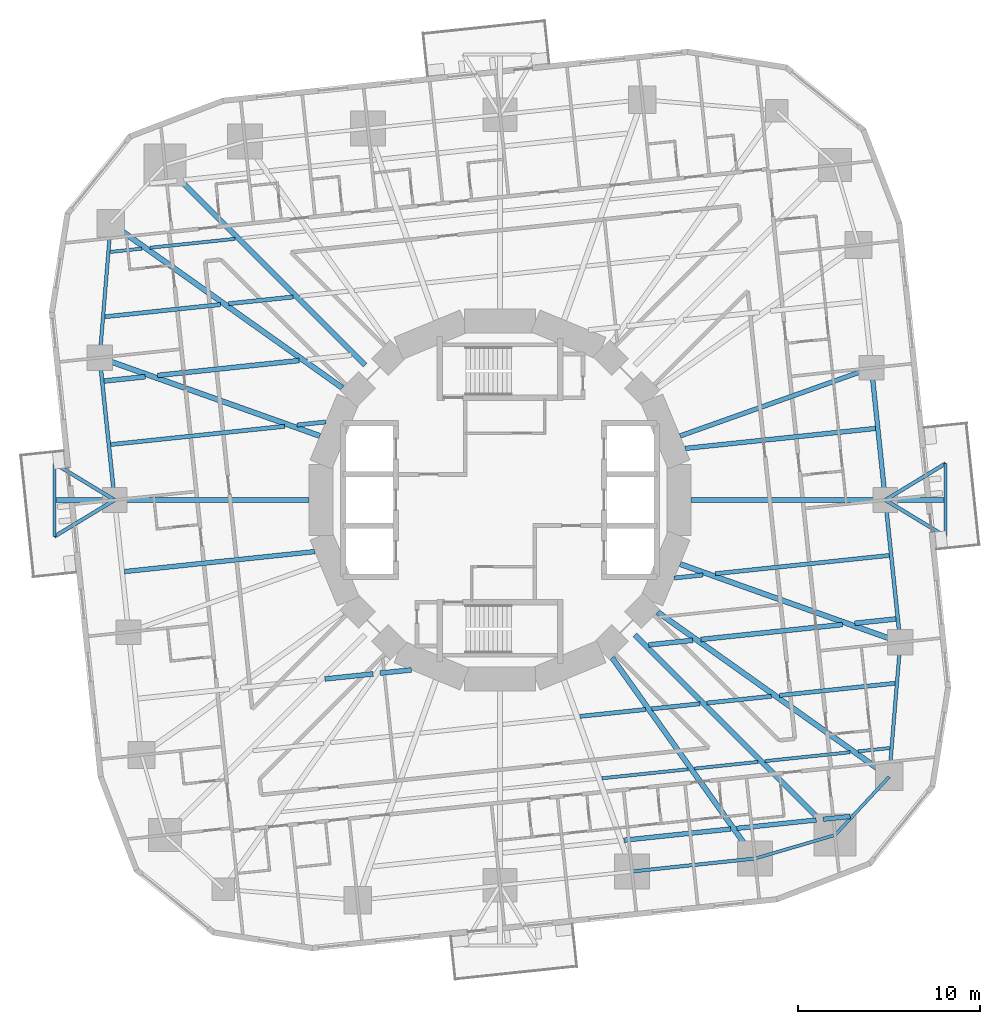
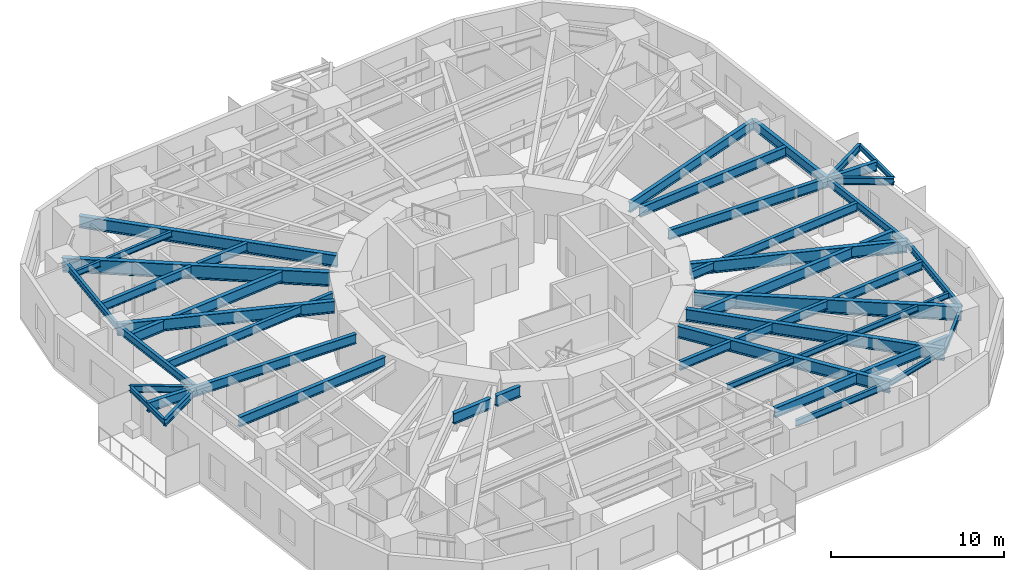
# One storey, part 2 of 13: 52 beams.
"""IFC4 building model written with IfcOpenShell, lengths in metres."""

from ifc_helpers import new_model, si_unit, direction, frame, origin, origin_2d, place, context, subcontext, project, spatial, i_section, extrude, material, material_profile, profile_set, type_object, element, save


model = new_model("IFC4")

# Units and contexts
model_context = context("Model", 3, precision=1e-05, world=origin(), true_north=direction((0.0, 1.0)))
body_context = subcontext(model_context, "Body", "Model", "MODEL_VIEW")
ifc_project = project(units=[si_unit("LENGTHUNIT", "METRE"), si_unit("AREAUNIT", "SQUARE_METRE"), si_unit("VOLUMEUNIT", "CUBIC_METRE"), si_unit("PLANEANGLEUNIT", "RADIAN"), si_unit("MASSUNIT", "GRAM", prefix="KILO")], contexts=[model_context])

# Site, building, storey
site_placement = place(None, origin())
site = spatial("IfcSite", under=ifc_project, at=site_placement, CompositionType="ELEMENT")
building_placement = place(site_placement, origin())
building = spatial("IfcBuilding", under=site, at=building_placement, Name="Nakasero Lantern House", CompositionType="ELEMENT")
storey_placement = place(building_placement, frame((0.0, 0.0, 79.75)))
storey = spatial("IfcBuildingStorey", under=building, at=storey_placement, Name="L19", CompositionType="ELEMENT", Elevation=79.75)

# Beams
ifc_material_1 = material(Name="Steel S355", Category="steel")
ifc_material_profile_1 = material_profile(ifc_material_1, i_section(OverallWidth=0.199462890625, OverallDepth=0.491943359375, WebThickness=0.01806640625, FlangeThickness=0.031982421875, FilletRadius=0.01025390625, at=origin_2d()), Name="UB 457x191x161")
ifc_profile_set_1 = profile_set([ifc_material_profile_1], Name="Steel S355")
beam_type_1 = type_object("IfcBeamType", Name="Balcony splay beam UB 457x191x161", PredefinedType="BEAM", material=ifc_profile_set_1)
for number, where, z_axis, x_axis, name in (
    (1, (21.11572265625, 0.0, 3.404052734375), (0.855201230787, 0.518296107317, 0.0), (-0.518296107317, 0.855201230787, 0.0), "Balcony splay beam L20 B2-C03A"),
    (2, (21.11572265625, 0.0, 3.404052734375), (0.855201230787, -0.518296107317, 0.0), (0.518296107317, 0.855201230787, 0.0), "Balcony splay beam L20 B2-C03B"),
    (3, (-21.11572265625, 0.0, 3.404052734375), (-0.855201230787, -0.518296107317, 0.0), (0.518296107317, -0.855201230787, 0.0), "Balcony splay beam L20 B2-C15A"),
    (4, (-21.11572265625, 0.0, 3.404052734375), (-0.855201230787, 0.518296107317, 0.0), (-0.518296107317, -0.855201230787, 0.0), "Balcony splay beam L20 B2-C15B"),
):
    element("IfcBeam", number, at=place(storey_placement, frame(where, z_axis=z_axis, x_axis=x_axis)), inside=storey, type_object=beam_type_1, Name=name, PredefinedType="BEAM", context=body_context, shape_type="SweptSolid", body=[
        extrude(i_section(OverallWidth=0.199462890625, OverallDepth=0.491943359375, WebThickness=0.01806640625, FlangeThickness=0.031982421875, FilletRadius=0.01025390625, at=origin_2d()), origin(), (0.0, 0.0, 1.0), 3.85888671875),
    ])
ifc_material_2 = material(Name="Steel S355", Category="steel")
ifc_material_profile_2 = material_profile(ifc_material_2, i_section(OverallWidth=0.17138671875, OverallDepth=0.35498046875, WebThickness=0.00732421875, FlangeThickness=0.011474609375, FilletRadius=0.01025390625, at=origin_2d()), Name="UB 356x171x51")
ifc_profile_set_2 = profile_set([ifc_material_profile_2], Name="Steel S355")
beam_type_2 = type_object("IfcBeamType", Name="Balcony tie beam UB 356x171x51", PredefinedType="BEAM", material=ifc_profile_set_2)
for number, where, z_axis, x_axis, name in (
    (5, (24.415771484375, 2.0, 3.472412109375), (0.0, -1.0, 0.0), (1.0, 0.0, 0.0), "Balcony tie beam L20 B2-C03"),
    (6, (-24.415771484375, -2.0, 3.472412109375), (0.0, 1.0, 0.0), (-1.0, 0.0, 0.0), "Balcony tie beam L20 B2-C15"),
):
    element("IfcBeam", number, at=place(storey_placement, frame(where, z_axis=z_axis, x_axis=x_axis)), inside=storey, type_object=beam_type_2, Name=name, PredefinedType="BEAM", context=body_context, shape_type="SweptSolid", body=[
        extrude(i_section(OverallWidth=0.17138671875, OverallDepth=0.35498046875, WebThickness=0.00732421875, FlangeThickness=0.011474609375, FilletRadius=0.01025390625, at=origin_2d()), origin(), (0.0, 0.0, 1.0), 4.0),
    ])
ifc_material_3 = material(Name="Steel S355", Category="steel")
ifc_material_profile_3 = material_profile(ifc_material_3, i_section(OverallWidth=0.177978515625, OverallDepth=0.406494140625, WebThickness=0.0078125, FlangeThickness=0.0126953125, FilletRadius=0.01025390625, at=origin_2d()), Name="UB 406x178x60")
ifc_profile_set_3 = profile_set([ifc_material_profile_3], Name="Steel S355")
beam_type_3 = type_object("IfcBeamType", Name="Infill beam UB 406x178x60", PredefinedType="JOIST", material=ifc_profile_set_3)
beam_1_placement = place(storey_placement, frame((5.58154296875, -15.25, 3.44677734375), z_axis=(0.994523439889, 0.104513767091, 0.0), x_axis=(-0.104513767091, 0.994523439889, 0.0)))
element("IfcBeam", 7, at=beam_1_placement, inside=storey, type_object=beam_type_3, Name="Infill beam L20 03.4", PredefinedType="JOIST", context=body_context, shape_type="SweptSolid", body=[
    extrude(i_section(OverallWidth=0.177978515625, OverallDepth=0.406494140625, WebThickness=0.0078125, FlangeThickness=0.0126953125, FilletRadius=0.01025390625, at=origin_2d()), origin(), (0.0, 0.0, 1.0), 4.756103515625),
])
beam_2_placement = place(storey_placement, frame((10.6455078125, -14.7177734375, 3.44677734375), z_axis=(0.994521415391, 0.104533029842, 0.0), x_axis=(-0.104533029842, 0.994521415391, 0.0)))
element("IfcBeam", 8, at=beam_2_placement, inside=storey, type_object=beam_type_3, Name="Infill beam L20 03.5", PredefinedType="JOIST", context=body_context, shape_type="SweptSolid", body=[
    extrude(i_section(OverallWidth=0.177978515625, OverallDepth=0.406494140625, WebThickness=0.0078125, FlangeThickness=0.0126953125, FilletRadius=0.01025390625, at=origin_2d()), origin(), (0.0, 0.0, 1.0), 3.517333984375),
])
beam_3_placement = place(storey_placement, frame((14.517578125, -14.310791015625, 3.44677734375), z_axis=(0.994522000641, 0.104527461662, 0.0), x_axis=(-0.104527461662, 0.994522000641, 0.0)))
element("IfcBeam", 9, at=beam_3_placement, inside=storey, type_object=beam_type_3, Name="Infill beam L20 03.6", PredefinedType="JOIST", context=body_context, shape_type="SweptSolid", body=[
    extrude(i_section(OverallWidth=0.177978515625, OverallDepth=0.406494140625, WebThickness=0.0078125, FlangeThickness=0.0126953125, FilletRadius=0.01025390625, at=origin_2d()), origin(), (0.0, 0.0, 1.0), 4.685302734375),
])
for number, where, z_axis, x_axis, name in (
    (10, (19.628173828125, -13.773681640625, 3.44677734375), (0.994526919783, 0.1044806481, 0.0), (-0.1044806481, 0.994526919783, 0.0), "Infill beam L20 03.7"),
    (11, (-21.36181640625, 13.591552734375, 3.44677734375), (0.994526919783, 0.1044806481, 0.0), (-0.1044806481, 0.994526919783, 0.0), "Infill beam L20 12.1"),
):
    element("IfcBeam", number, at=place(storey_placement, frame(where, z_axis=z_axis, x_axis=x_axis)), inside=storey, type_object=beam_type_3, Name=name, PredefinedType="JOIST", context=body_context, shape_type="SweptSolid", body=[
        extrude(i_section(OverallWidth=0.177978515625, OverallDepth=0.406494140625, WebThickness=0.0078125, FlangeThickness=0.0126953125, FilletRadius=0.01025390625, at=origin_2d()), origin(), (0.0, 0.0, 1.0), 1.7431640625),
    ])
beam_4_placement = place(storey_placement, frame((-19.17724609375, 13.821044921875, 3.44677734375), z_axis=(0.994522000641, 0.104527461662, 0.0), x_axis=(-0.104527461662, 0.994522000641, 0.0)))
element("IfcBeam", 12, at=beam_4_placement, inside=storey, type_object=beam_type_3, Name="Infill beam L20 12.2", PredefinedType="JOIST", context=body_context, shape_type="SweptSolid", body=[
    extrude(i_section(OverallWidth=0.177978515625, OverallDepth=0.406494140625, WebThickness=0.0078125, FlangeThickness=0.0126953125, FilletRadius=0.01025390625, at=origin_2d()), origin(), (0.0, 0.0, 1.0), 4.685302734375),
])
ifc_material_4 = material(Name="Steel S355", Category="steel")
ifc_material_profile_4 = material_profile(ifc_material_4, i_section(OverallWidth=0.2275390625, OverallDepth=0.6025390625, WebThickness=0.010498046875, FlangeThickness=0.014892578125, FilletRadius=0.0126953125, at=origin_2d()), Name="UB 610x229x101")
ifc_profile_set_4 = profile_set([ifc_material_profile_4], Name="Steel S355")
beam_type_4 = type_object("IfcBeamType", Name="Infill beam UB 610x229x101", PredefinedType="JOIST", material=ifc_profile_set_4)
beam_5_placement = place(storey_placement, frame((9.548583984375, -4.275390625, 3.3486328125), z_axis=(0.99451559139, 0.104588424223, 0.0), x_axis=(-0.104588424223, 0.99451559139, 0.0)))
element("IfcBeam", 13, at=beam_5_placement, inside=storey, type_object=beam_type_4, Name="Infill beam L20 06.1", PredefinedType="JOIST", context=body_context, shape_type="SweptSolid", body=[
    extrude(i_section(OverallWidth=0.2275390625, OverallDepth=0.6025390625, WebThickness=0.010498046875, FlangeThickness=0.014892578125, FilletRadius=0.0126953125, at=origin_2d()), origin(), (0.0, 0.0, 1.0), 1.582763671875),
])
for number, where, z_axis, x_axis, name in (
    (14, (11.79638671875, -4.0390625, 3.3486328125), (0.994521908804, 0.104528335435, 0.0), (-0.104528335435, 0.994521908804, 0.0), "Infill beam L20 06.2"),
    (15, (-21.329345703125, 3.037109375, 3.3486328125), (0.994521908804, 0.104528335435, 0.0), (-0.104528335435, 0.994521908804, 0.0), "Infill beam L20 09.1"),
):
    element("IfcBeam", number, at=place(storey_placement, frame(where, z_axis=z_axis, x_axis=x_axis)), inside=storey, type_object=beam_type_4, Name=name, PredefinedType="JOIST", context=body_context, shape_type="SweptSolid", body=[
        extrude(i_section(OverallWidth=0.2275390625, OverallDepth=0.6025390625, WebThickness=0.010498046875, FlangeThickness=0.014892578125, FilletRadius=0.0126953125, at=origin_2d()), origin(), (0.0, 0.0, 1.0), 9.58544921875),
    ])
beam_6_placement = place(storey_placement, frame((-11.12255859375, 4.10986328125, 3.3486328125), z_axis=(0.99451559139, 0.104588424223, 0.0), x_axis=(-0.104588424223, 0.99451559139, 0.0)))
element("IfcBeam", 16, at=beam_6_placement, inside=storey, type_object=beam_type_4, Name="Infill beam L20 09.2", PredefinedType="JOIST", context=body_context, shape_type="SweptSolid", body=[
    extrude(i_section(OverallWidth=0.2275390625, OverallDepth=0.6025390625, WebThickness=0.010498046875, FlangeThickness=0.014892578125, FilletRadius=0.0126953125, at=origin_2d()), origin(), (0.0, 0.0, 1.0), 1.582763671875),
])
ifc_material_5 = material(Name="Steel S355", Category="steel")
ifc_material_profile_5 = material_profile(ifc_material_5, i_section(OverallWidth=0.22900390625, OverallDepth=0.6123046875, WebThickness=0.011962890625, FlangeThickness=0.01953125, FilletRadius=0.0126953125, at=origin_2d()), Name="UB 610x229x125")
ifc_profile_set_5 = profile_set([ifc_material_profile_5], Name="Steel S355")
beam_type_5 = type_object("IfcBeamType", Name="Infill beam UB 610x229x125", PredefinedType="JOIST", material=ifc_profile_set_5)
beam_7_placement = place(storey_placement, frame((4.375244140625, -11.857666015625, 3.343994140625), z_axis=(0.994523507044, 0.104513128058, 0.0), x_axis=(-0.104513128058, 0.994523507044, 0.0)))
element("IfcBeam", 17, at=beam_7_placement, inside=storey, type_object=beam_type_5, Name="Infill beam L20 04.5", PredefinedType="JOIST", context=body_context, shape_type="SweptSolid", body=[
    extrude(i_section(OverallWidth=0.22900390625, OverallDepth=0.6123046875, WebThickness=0.011962890625, FlangeThickness=0.01953125, FilletRadius=0.0126953125, at=origin_2d()), origin(), (0.0, 0.0, 1.0), 3.627685546875),
])
beam_8_placement = place(storey_placement, frame((8.31689453125, -11.443359375, 3.343994140625), z_axis=(0.994526079282, 0.104488648322, 0.0), x_axis=(-0.104488648322, 0.994526079282, 0.0)))
element("IfcBeam", 18, at=beam_8_placement, inside=storey, type_object=beam_type_5, Name="Infill beam L20 04.6", PredefinedType="JOIST", context=body_context, shape_type="SweptSolid", body=[
    extrude(i_section(OverallWidth=0.22900390625, OverallDepth=0.6123046875, WebThickness=0.011962890625, FlangeThickness=0.01953125, FilletRadius=0.0126953125, at=origin_2d()), origin(), (0.0, 0.0, 1.0), 2.65673828125),
])
beam_9_placement = place(storey_placement, frame((11.3330078125, -11.126220703125, 3.343994140625), z_axis=(0.99452727583, 0.104477258916, 0.0), x_axis=(-0.104477258916, 0.99452727583, 0.0)))
element("IfcBeam", 19, at=beam_9_placement, inside=storey, type_object=beam_type_5, Name="Infill beam L20 04.7", PredefinedType="JOIST", context=body_context, shape_type="SweptSolid", body=[
    extrude(i_section(OverallWidth=0.22900390625, OverallDepth=0.6123046875, WebThickness=0.011962890625, FlangeThickness=0.01953125, FilletRadius=0.0126953125, at=origin_2d()), origin(), (0.0, 0.0, 1.0), 3.552001953125),
])
for number, where, z_axis, x_axis, name in (
    (20, (15.31640625, -10.707763671875, 3.343994140625), (0.994520346325, 0.104543200382, 0.0), (-0.104543200382, 0.994520346325, 0.0), "Infill beam L20 04.8"),
    (21, (-21.654541015625, 10.04150390625, 3.343994140625), (0.994520346325, 0.104543200382, 0.0), (-0.104543200382, 0.994520346325, 0.0), "Infill beam L20 11.1"),
):
    element("IfcBeam", number, at=place(storey_placement, frame(where, z_axis=z_axis, x_axis=x_axis)), inside=storey, type_object=beam_type_5, Name=name, PredefinedType="JOIST", context=body_context, shape_type="SweptSolid", body=[
        extrude(i_section(OverallWidth=0.22900390625, OverallDepth=0.6123046875, WebThickness=0.011962890625, FlangeThickness=0.01953125, FilletRadius=0.0126953125, at=origin_2d()), origin(), (0.0, 0.0, 1.0), 6.373046875),
    ])
beam_10_placement = place(storey_placement, frame((-14.865478515625, 10.755126953125, 3.343994140625), z_axis=(0.99452727583, 0.104477258916, 0.0), x_axis=(-0.104477258916, 0.99452727583, 0.0)))
element("IfcBeam", 22, at=beam_10_placement, inside=storey, type_object=beam_type_5, Name="Infill beam L20 11.2", PredefinedType="JOIST", context=body_context, shape_type="SweptSolid", body=[
    extrude(i_section(OverallWidth=0.22900390625, OverallDepth=0.6123046875, WebThickness=0.011962890625, FlangeThickness=0.01953125, FilletRadius=0.0126953125, at=origin_2d()), origin(), (0.0, 0.0, 1.0), 3.552001953125),
])
ifc_material_6 = material(Name="Steel S355", Category="steel")
ifc_material_profile_6 = material_profile(ifc_material_6, i_section(OverallWidth=0.255859375, OverallDepth=0.69287109375, WebThickness=0.014404296875, FlangeThickness=0.023681640625, FilletRadius=0.01513671875, at=origin_2d()), Name="UB 686x254x170")
ifc_profile_set_6 = profile_set([ifc_material_profile_6], Name="Steel S355")
beam_type_6 = type_object("IfcBeamType", Name="Infill beam UB 686x254x170", PredefinedType="JOIST", material=ifc_profile_set_6)
beam_11_placement = place(storey_placement, frame((6.78759765625, -18.642578125, 3.303466796875), z_axis=(0.994524304789, 0.104505536616, 0.0), x_axis=(-0.104505536616, 0.994524304789, 0.0)))
element("IfcBeam", 23, at=beam_11_placement, inside=storey, type_object=beam_type_6, Name="Infill beam L20 02.3", PredefinedType="JOIST", context=body_context, shape_type="SweptSolid", body=[
    extrude(i_section(OverallWidth=0.255859375, OverallDepth=0.69287109375, WebThickness=0.014404296875, FlangeThickness=0.023681640625, FilletRadius=0.01513671875, at=origin_2d()), origin(), (0.0, 0.0, 1.0), 5.884765625),
])
beam_12_placement = place(storey_placement, frame((12.97412109375, -17.992431640625, 3.303466796875), z_axis=(0.994518584312, 0.104559961062, 0.0), x_axis=(-0.104559961062, 0.994518584312, 0.0)))
element("IfcBeam", 24, at=beam_12_placement, inside=storey, type_object=beam_type_6, Name="Infill beam L20 02.4", PredefinedType="JOIST", context=body_context, shape_type="SweptSolid", body=[
    extrude(i_section(OverallWidth=0.255859375, OverallDepth=0.69287109375, WebThickness=0.014404296875, FlangeThickness=0.023681640625, FilletRadius=0.01513671875, at=origin_2d()), origin(), (0.0, 0.0, 1.0), 4.3779296875),
])
beam_13_placement = place(storey_placement, frame((17.7021484375, -17.495361328125, 3.303466796875), z_axis=(0.994535800288, 0.104396082038, 0.0), x_axis=(-0.104396082038, 0.994535800288, 0.0)))
element("IfcBeam", 25, at=beam_13_placement, inside=storey, type_object=beam_type_6, Name="Infill beam L20 02.5", PredefinedType="JOIST", context=body_context, shape_type="SweptSolid", body=[
    extrude(i_section(OverallWidth=0.255859375, OverallDepth=0.69287109375, WebThickness=0.014404296875, FlangeThickness=0.023681640625, FilletRadius=0.01513671875, at=origin_2d()), origin(), (0.0, 0.0, 1.0), 1.49658203125),
])
for number, where, z_axis, x_axis, name in (
    (26, (-20.575927734375, -3.92236328125, 3.303466796875), (0.994521899939, 0.104528419781, 0.0), (-0.104528419781, 0.994521899939, 0.0), "Infill beam L20 07.1"),
    (27, (10.148681640625, 2.826416015625, 3.303466796875), (0.994521899939, 0.104528419781, 0.0), (-0.104528419781, 0.994521899939, 0.0), "Infill beam L20 08.1"),
):
    element("IfcBeam", number, at=place(storey_placement, frame(where, z_axis=z_axis, x_axis=x_axis)), inside=storey, type_object=beam_type_6, Name=name, PredefinedType="JOIST", context=body_context, shape_type="SweptSolid", body=[
        extrude(i_section(OverallWidth=0.255859375, OverallDepth=0.69287109375, WebThickness=0.014404296875, FlangeThickness=0.023681640625, FilletRadius=0.01513671875, at=origin_2d()), origin(), (0.0, 0.0, 1.0), 10.484619140625),
    ])
ifc_material_7 = material(Name="Steel S355", Category="steel")
ifc_material_profile_7 = material_profile(ifc_material_7, i_section(OverallWidth=0.2666015625, OverallDepth=0.76220703125, WebThickness=0.014404296875, FlangeThickness=0.021484375, FilletRadius=0.0166015625, at=origin_2d()), Name="UB 762x267x173")
ifc_profile_set_7 = profile_set([ifc_material_profile_7], Name="Steel S355")
beam_type_7 = type_object("IfcBeamType", Name="Infill beam UB 762x267x173", PredefinedType="JOIST", material=ifc_profile_set_7)
beam_14_placement = place(storey_placement, frame((-9.594482421875, -9.806640625, 3.268798828125), z_axis=(0.994521575627, 0.104531505358, 0.0), x_axis=(-0.104531505358, 0.994521575627, 0.0)))
element("IfcBeam", 28, at=beam_14_placement, inside=storey, type_object=beam_type_7, Name="Infill beam L20 05.3", PredefinedType="JOIST", context=body_context, shape_type="SweptSolid", body=[
    extrude(i_section(OverallWidth=0.2666015625, OverallDepth=0.76220703125, WebThickness=0.014404296875, FlangeThickness=0.021484375, FilletRadius=0.0166015625, at=origin_2d()), origin(), (0.0, 0.0, 1.0), 2.6533203125),
])
beam_15_placement = place(storey_placement, frame((-6.568115234375, -9.488525390625, 3.268798828125), z_axis=(0.994529501552, 0.104456069922, 0.0), x_axis=(-0.104456069922, 0.994529501552, 0.0)))
element("IfcBeam", 29, at=beam_15_placement, inside=storey, type_object=beam_type_7, Name="Infill beam L20 05.4", PredefinedType="JOIST", context=body_context, shape_type="SweptSolid", body=[
    extrude(i_section(OverallWidth=0.2666015625, OverallDepth=0.76220703125, WebThickness=0.014404296875, FlangeThickness=0.021484375, FilletRadius=0.0166015625, at=origin_2d()), origin(), (0.0, 0.0, 1.0), 1.72265625),
])
beam_16_placement = place(storey_placement, frame((8.1484375, -7.941650390625, 3.268798828125), z_axis=(0.99452700398, 0.104479846642, 0.0), x_axis=(-0.104479846642, 0.99452700398, 0.0)))
element("IfcBeam", 30, at=beam_16_placement, inside=storey, type_object=beam_type_7, Name="Infill beam L20 05.5", PredefinedType="JOIST", context=body_context, shape_type="SweptSolid", body=[
    extrude(i_section(OverallWidth=0.2666015625, OverallDepth=0.76220703125, WebThickness=0.014404296875, FlangeThickness=0.021484375, FilletRadius=0.0166015625, at=origin_2d()), origin(), (0.0, 0.0, 1.0), 2.41845703125),
])
beam_17_placement = place(storey_placement, frame((11.0048828125, -7.6416015625, 3.268798828125), z_axis=(0.994520535103, 0.104541404521, 0.0), x_axis=(-0.104541404521, 0.994520535103, 0.0)))
element("IfcBeam", 31, at=beam_17_placement, inside=storey, type_object=beam_type_7, Name="Infill beam L20 05.6", PredefinedType="JOIST", context=body_context, shape_type="SweptSolid", body=[
    extrude(i_section(OverallWidth=0.2666015625, OverallDepth=0.76220703125, WebThickness=0.014404296875, FlangeThickness=0.021484375, FilletRadius=0.0166015625, at=origin_2d()), origin(), (0.0, 0.0, 1.0), 7.800048828125),
])
for number, where, z_axis, x_axis, name in (
    (32, (19.43603515625, -6.75537109375, 3.268798828125), (0.994516636986, 0.104578481334, 0.0), (-0.104578481334, 0.994516636986, 0.0), "Infill beam L20 05.7"),
    (33, (-21.695068359375, 6.517822265625, 3.268798828125), (0.994516636986, 0.104578481334, 0.0), (-0.104578481334, 0.994516636986, 0.0), "Infill beam L20 10.1"),
):
    element("IfcBeam", number, at=place(storey_placement, frame(where, z_axis=z_axis, x_axis=x_axis)), inside=storey, type_object=beam_type_7, Name=name, PredefinedType="JOIST", context=body_context, shape_type="SweptSolid", body=[
        extrude(i_section(OverallWidth=0.2666015625, OverallDepth=0.76220703125, WebThickness=0.014404296875, FlangeThickness=0.021484375, FilletRadius=0.0166015625, at=origin_2d()), origin(), (0.0, 0.0, 1.0), 2.271484375),
    ])
beam_18_placement = place(storey_placement, frame((-18.76220703125, 6.826171875, 3.268798828125), z_axis=(0.994520535103, 0.104541404521, 0.0), x_axis=(-0.104541404521, 0.994520535103, 0.0)))
element("IfcBeam", 34, at=beam_18_placement, inside=storey, type_object=beam_type_7, Name="Infill beam L20 10.2", PredefinedType="JOIST", context=body_context, shape_type="SweptSolid", body=[
    extrude(i_section(OverallWidth=0.2666015625, OverallDepth=0.76220703125, WebThickness=0.014404296875, FlangeThickness=0.021484375, FilletRadius=0.0166015625, at=origin_2d()), origin(), (0.0, 0.0, 1.0), 7.800048828125),
])
ifc_material_8 = material(Name="Steel S355", Category="steel")
ifc_material_profile_8 = material_profile(ifc_material_8, i_section(OverallWidth=0.300048828125, OverallDepth=0.989990234375, WebThickness=0.0166015625, FlangeThickness=0.031005859375, FilletRadius=0.030029296875, at=origin_2d()), Name="UB 1016x305x272")
ifc_profile_set_8 = profile_set([ifc_material_profile_8], Name="Steel S355")
beam_type_8 = type_object("IfcBeamType", Name="Primary beam UB 1016x305x272, span over 15 m", PredefinedType="BEAM", material=ifc_profile_set_8)
for number, where, z_axis, x_axis, name in (
    (35, (21.327880859375, -15.16650390625, 3.155029296875), (-0.814951538239, 0.57952911085, 0.0), (-0.57952911085, -0.814951538239, 0.0), "Primary beam L20 B2-C01"),
    (36, (-21.327880859375, 15.16650390625, 3.155029296875), (0.814951538239, -0.57952911085, 0.0), (0.57952911085, 0.814951538239, 0.0), "Primary beam L20 B2-C13"),
):
    element("IfcBeam", number, at=place(storey_placement, frame(where, z_axis=z_axis, x_axis=x_axis)), inside=storey, type_object=beam_type_8, Name=name, PredefinedType="BEAM", context=body_context, shape_type="SweptSolid", body=[
        extrude(i_section(OverallWidth=0.300048828125, OverallDepth=0.989990234375, WebThickness=0.0166015625, FlangeThickness=0.031005859375, FilletRadius=0.030029296875, at=origin_2d()), origin(), (0.0, 0.0, 1.0), 15.564697265625),
    ])
ifc_material_9 = material(Name="Steel S355", Category="steel")
ifc_material_profile_9 = material_profile(ifc_material_9, i_section(OverallWidth=0.253662109375, OverallDepth=0.68359375, WebThickness=0.012451171875, FlangeThickness=0.01904296875, FilletRadius=0.01513671875, at=origin_2d()), Name="UB 686x254x140")
ifc_profile_set_9 = profile_set([ifc_material_profile_9], Name="Steel S355")
beam_type_9 = type_object("IfcBeamType", Name="Primary beam UB 686x254x140, span 9 to 12 m", PredefinedType="BEAM", material=ifc_profile_set_9)
beam_19_placement = place(storey_placement, frame((24.415771484375, 0.0, 3.308349609375), z_axis=(-1.0, 0.0, 0.0), x_axis=(0.0, -1.0, 0.0)))
element("IfcBeam", 37, at=beam_19_placement, inside=storey, type_object=beam_type_9, Name="Primary beam L20 B2-C03", PredefinedType="BEAM", context=body_context, shape_type="SweptSolid", body=[
    extrude(i_section(OverallWidth=0.253662109375, OverallDepth=0.68359375, WebThickness=0.012451171875, FlangeThickness=0.01904296875, FilletRadius=0.01513671875, at=origin_2d()), origin(), (0.0, 0.0, 1.0), 13.9580078125),
])
beam_20_placement = place(storey_placement, frame((20.35498046875, 7.2373046875, 3.308349609375), z_axis=(-0.942214844119, -0.335009234979, 0.0), x_axis=(0.335009234979, -0.942214844119, 0.0)))
element("IfcBeam", 38, at=beam_20_placement, inside=storey, type_object=beam_type_9, Name="Primary beam L20 B2-C04", PredefinedType="BEAM", context=body_context, shape_type="SweptSolid", body=[
    extrude(i_section(OverallWidth=0.253662109375, OverallDepth=0.68359375, WebThickness=0.012451171875, FlangeThickness=0.01904296875, FilletRadius=0.01513671875, at=origin_2d()), origin(), (0.0, 0.0, 1.0), 11.1318359375),
])
beam_21_placement = place(storey_placement, frame((-24.415771484375, 0.0, 3.308349609375), z_axis=(1.0, 0.0, 0.0), x_axis=(0.0, 1.0, 0.0)))
element("IfcBeam", 39, at=beam_21_placement, inside=storey, type_object=beam_type_9, Name="Primary beam L20 B2-C15", PredefinedType="BEAM", context=body_context, shape_type="SweptSolid", body=[
    extrude(i_section(OverallWidth=0.253662109375, OverallDepth=0.68359375, WebThickness=0.012451171875, FlangeThickness=0.01904296875, FilletRadius=0.01513671875, at=origin_2d()), origin(), (0.0, 0.0, 1.0), 13.9580078125),
])
ifc_material_10 = material(Name="Steel S355", Category="steel")
ifc_material_profile_10 = material_profile(ifc_material_10, i_section(OverallWidth=0.29248046875, OverallDepth=0.8408203125, WebThickness=0.0146484375, FlangeThickness=0.02685546875, FilletRadius=0.017822265625, at=origin_2d()), Name="UB 838x292x194")
ifc_profile_set_10 = profile_set([ifc_material_profile_10], Name="Steel S355")
beam_type_10 = type_object("IfcBeamType", Name="Primary beam UB 838x292x194, span 12 to 15 m", PredefinedType="BEAM", material=ifc_profile_set_10)
for number, where, z_axis, x_axis, name in (
    (40, (21.935302734375, -7.79931640625, 3.229736328125), (-0.942211882636, 0.335017564047, 0.0), (-0.335017564047, -0.942211882636, 0.0), "Primary beam L20 B2-C02"),
    (41, (-21.935302734375, 7.79931640625, 3.229736328125), (0.942211882636, -0.335017564047, 0.0), (0.335017564047, 0.942211882636, 0.0), "Primary beam L20 B2-C14"),
):
    element("IfcBeam", number, at=place(storey_placement, frame(where, z_axis=z_axis, x_axis=x_axis)), inside=storey, type_object=beam_type_10, Name=name, PredefinedType="BEAM", context=body_context, shape_type="SweptSolid", body=[
        extrude(i_section(OverallWidth=0.29248046875, OverallDepth=0.8408203125, WebThickness=0.0146484375, FlangeThickness=0.02685546875, FilletRadius=0.017822265625, at=origin_2d()), origin(), (0.0, 0.0, 1.0), 12.80908203125),
    ])
beam_22_placement = place(storey_placement, frame((13.971435546875, -19.647216796875, 3.229736328125), z_axis=(-0.579533393168, 0.814948492976, 0.0), x_axis=(-0.814948492976, -0.579533393168, 0.0)))
element("IfcBeam", 42, at=beam_22_placement, inside=storey, type_object=beam_type_10, Name="Primary beam L20 B2-C23", PredefinedType="BEAM", context=body_context, shape_type="SweptSolid", body=[
    extrude(i_section(OverallWidth=0.29248046875, OverallDepth=0.8408203125, WebThickness=0.0146484375, FlangeThickness=0.02685546875, FilletRadius=0.017822265625, at=origin_2d()), origin(), (0.0, 0.0, 1.0), 13.502685546875),
])
ifc_material_11 = material(Name="Steel S355", Category="steel")
ifc_material_profile_11 = material_profile(ifc_material_11, i_section(OverallWidth=0.29248046875, OverallDepth=0.8408203125, WebThickness=0.0146484375, FlangeThickness=0.02685546875, FilletRadius=0.017822265625, at=origin_2d()), Name="UB 838x292x194")
ifc_profile_set_11 = profile_set([ifc_material_profile_11], Name="Steel S355")
beam_type_11 = type_object("IfcBeamType", Name="Primary beam UB 838x292x194, span over 15 m", PredefinedType="BEAM", material=ifc_profile_set_11)
for number, where, z_axis, x_axis, name in (
    (43, (-18.359375, 18.359375, 3.229736328125), (0.707106781187, -0.707106781187, 0.0), (0.707106781187, 0.707106781187, 0.0), "Primary beam L20 B2-C12"),
    (44, (18.359375, -18.359375, 3.229736328125), (-0.707106781187, 0.707106781187, 0.0), (-0.707106781187, -0.707106781187, 0.0), "Primary beam L20 B2-C24"),
):
    element("IfcBeam", number, at=place(storey_placement, frame(where, z_axis=z_axis, x_axis=x_axis)), inside=storey, type_object=beam_type_11, Name=name, PredefinedType="BEAM", context=body_context, shape_type="SweptSolid", body=[
        extrude(i_section(OverallWidth=0.29248046875, OverallDepth=0.8408203125, WebThickness=0.0146484375, FlangeThickness=0.02685546875, FilletRadius=0.017822265625, at=origin_2d()), origin(), (0.0, 0.0, 1.0), 15.50634765625),
    ])
ifc_material_12 = material(Name="Steel S355", Category="steel")
ifc_material_profile_12 = material_profile(ifc_material_12, i_section(OverallWidth=0.17138671875, OverallDepth=0.35498046875, WebThickness=0.00732421875, FlangeThickness=0.011474609375, FilletRadius=0.01025390625, at=origin_2d()), Name="UB 356x171x51")
ifc_profile_set_12 = profile_set([ifc_material_profile_12], Name="Steel S355")
beam_type_12 = type_object("IfcBeamType", Name="Ring beam UB 356x171x51", PredefinedType="BEAM", material=ifc_profile_set_12)
beam_23_placement = place(storey_placement, frame((13.971435546875, -19.647216796875, 3.472412109375), z_axis=(0.959526865957, 0.28161710443, 0.0), x_axis=(-0.28161710443, 0.959526865957, 0.0)))
element("IfcBeam", 45, at=beam_23_placement, inside=storey, type_object=beam_type_12, Name="Ring beam L20 B2-C23", PredefinedType="BEAM", context=body_context, shape_type="SweptSolid", body=[
    extrude(i_section(OverallWidth=0.17138671875, OverallDepth=0.35498046875, WebThickness=0.00732421875, FlangeThickness=0.011474609375, FilletRadius=0.01025390625, at=origin_2d()), origin(), (0.0, 0.0, 1.0), 4.572998046875),
])
beam_24_placement = place(storey_placement, frame((18.359375, -18.359375, 3.472412109375), z_axis=(0.680906333933, 0.732370510336, 0.0), x_axis=(-0.732370510336, 0.680906333933, 0.0)))
element("IfcBeam", 46, at=beam_24_placement, inside=storey, type_object=beam_type_12, Name="Ring beam L20 B2-C24", PredefinedType="BEAM", context=body_context, shape_type="SweptSolid", body=[
    extrude(i_section(OverallWidth=0.17138671875, OverallDepth=0.35498046875, WebThickness=0.00732421875, FlangeThickness=0.011474609375, FilletRadius=0.01025390625, at=origin_2d()), origin(), (0.0, 0.0, 1.0), 4.359619140625),
])
ifc_material_13 = material(Name="Steel S355", Category="steel")
ifc_material_profile_13 = material_profile(ifc_material_13, i_section(OverallWidth=0.18994140625, OverallDepth=0.453369140625, WebThickness=0.008544921875, FlangeThickness=0.0126953125, FilletRadius=0.01025390625, at=origin_2d()), Name="UB 457x191x67")
ifc_profile_set_13 = profile_set([ifc_material_profile_13], Name="Steel S355")
beam_type_13 = type_object("IfcBeamType", Name="Ring beam UB 457x191x67", PredefinedType="BEAM", material=ifc_profile_set_13)
beam_25_placement = place(storey_placement, frame((7.2373046875, -20.35498046875, 3.42333984375), z_axis=(0.994522233155, 0.10452524939, 0.0), x_axis=(-0.10452524939, 0.994522233155, 0.0)))
element("IfcBeam", 47, at=beam_25_placement, inside=storey, type_object=beam_type_13, Name="Ring beam L20 B2-C22", PredefinedType="BEAM", context=body_context, shape_type="SweptSolid", body=[
    extrude(i_section(OverallWidth=0.18994140625, OverallDepth=0.453369140625, WebThickness=0.008544921875, FlangeThickness=0.0126953125, FilletRadius=0.01025390625, at=origin_2d()), origin(), (0.0, 0.0, 1.0), 6.771240234375),
])
ifc_material_14 = material(Name="Steel S355", Category="steel")
ifc_material_profile_14 = material_profile(ifc_material_14, i_section(OverallWidth=0.19140625, OverallDepth=0.4599609375, WebThickness=0.010009765625, FlangeThickness=0.01611328125, FilletRadius=0.01025390625, at=origin_2d()), Name="UB 457x191x82")
ifc_profile_set_14 = profile_set([ifc_material_profile_14], Name="Steel S355")
beam_type_14 = type_object("IfcBeamType", Name="Ring beam UB 457x191x82", PredefinedType="BEAM", material=ifc_profile_set_14)
for number, where, z_axis, x_axis, name in (
    (48, (21.327880859375, -15.16650390625, 3.419921875), (0.08217080574, 0.996618261264, 0.0), (-0.996618261264, 0.08217080574, 0.0), "Ring beam L20 B2-C01"),
    (49, (-21.327880859375, 15.16650390625, 3.419921875), (-0.08217080574, -0.996618261264, 0.0), (0.996618261264, -0.08217080574, 0.0), "Ring beam L20 B2-C13"),
):
    element("IfcBeam", number, at=place(storey_placement, frame(where, z_axis=z_axis, x_axis=x_axis)), inside=storey, type_object=beam_type_14, Name=name, PredefinedType="BEAM", context=body_context, shape_type="SweptSolid", body=[
        extrude(i_section(OverallWidth=0.19140625, OverallDepth=0.4599609375, WebThickness=0.010009765625, FlangeThickness=0.01611328125, FilletRadius=0.01025390625, at=origin_2d()), origin(), (0.0, 0.0, 1.0), 7.39208984375),
    ])
ifc_material_15 = material(Name="Steel S355", Category="steel")
ifc_material_profile_15 = material_profile(ifc_material_15, i_section(OverallWidth=0.2099609375, OverallDepth=0.53662109375, WebThickness=0.0107421875, FlangeThickness=0.017333984375, FilletRadius=0.0126953125, at=origin_2d()), Name="UB 533x210x101")
ifc_profile_set_15 = profile_set([ifc_material_profile_15], Name="Steel S355")
beam_type_15 = type_object("IfcBeamType", Name="Ring beam UB 533x210x101", PredefinedType="BEAM", material=ifc_profile_set_15)
for number, where, z_axis, x_axis, name in (
    (50, (21.935302734375, -7.79931640625, 3.381591796875), (-0.104508144098, 0.994524030789, 0.0), (-0.994524030789, -0.104508144098, 0.0), "Ring beam L20 B2-C02"),
    (51, (-21.935302734375, 7.79931640625, 3.381591796875), (0.104508144098, -0.994524030789, 0.0), (0.994524030789, 0.104508144098, 0.0), "Ring beam L20 B2-C14"),
):
    element("IfcBeam", number, at=place(storey_placement, frame(where, z_axis=z_axis, x_axis=x_axis)), inside=storey, type_object=beam_type_15, Name=name, PredefinedType="BEAM", context=body_context, shape_type="SweptSolid", body=[
        extrude(i_section(OverallWidth=0.2099609375, OverallDepth=0.53662109375, WebThickness=0.0107421875, FlangeThickness=0.017333984375, FilletRadius=0.0126953125, at=origin_2d()), origin(), (0.0, 0.0, 1.0), 7.84228515625),
    ])
ifc_material_16 = material(Name="Steel S355", Category="steel")
ifc_material_profile_16 = material_profile(ifc_material_16, i_section(OverallWidth=0.253662109375, OverallDepth=0.68359375, WebThickness=0.012451171875, FlangeThickness=0.01904296875, FilletRadius=0.01513671875, at=origin_2d()), Name="UB 686x254x140")
ifc_profile_set_16 = profile_set([ifc_material_profile_16], Name="Steel S355")
beam_type_16 = type_object("IfcBeamType", Name="Ring beam UB 686x254x140", PredefinedType="BEAM", material=ifc_profile_set_16)
beam_26_placement = place(storey_placement, frame((21.11572265625, 0.0, 3.308349609375), z_axis=(-0.104538087767, 0.994520883746, 0.0), x_axis=(-0.994520883746, -0.104538087767, 0.0)))
element("IfcBeam", 52, at=beam_26_placement, inside=storey, type_object=beam_type_16, Name="Ring beam L20 B2-C03", PredefinedType="BEAM", context=body_context, shape_type="SweptSolid", body=[
    extrude(i_section(OverallWidth=0.253662109375, OverallDepth=0.68359375, WebThickness=0.012451171875, FlangeThickness=0.01904296875, FilletRadius=0.01513671875, at=origin_2d()), origin(), (0.0, 0.0, 1.0), 7.277099609375),
])

save(model, "model.ifc")
